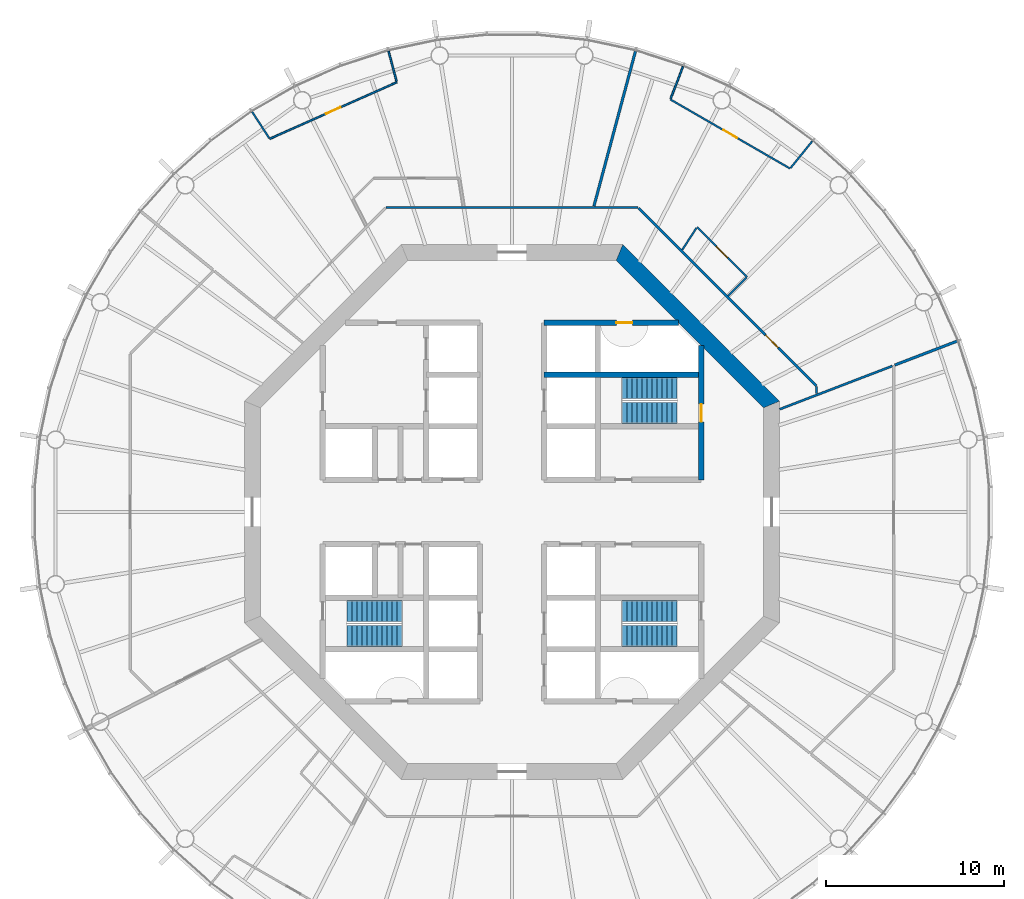
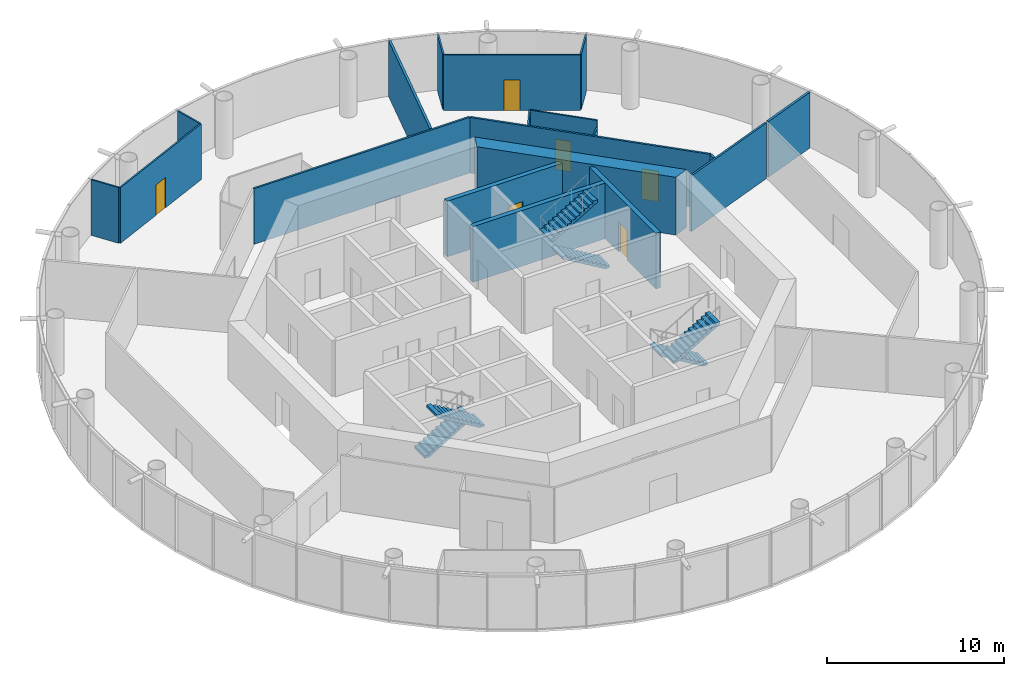
# One storey, part 5 of 12: 19 walls, 6 doors, 6 stair flights, 6 openings, 3 elements without a shape of their own.
"""IFC4 building model written with IfcOpenShell, lengths in metres."""

from ifc_helpers import new_model, si_unit, direction, frame, frame_2d, origin, place, context, subcontext, project, spatial, polyline, rectangle, outline, extrude, material, layer, layer_set, type_object, element, fill, aggregate, save


model = new_model("IFC4")

# Units and contexts
model_context = context("Model", 3, precision=1e-05, world=origin(), true_north=direction((0.0, 1.0)))
body_context = subcontext(model_context, "Body", "Model", "MODEL_VIEW")
ifc_project = project(units=[si_unit("LENGTHUNIT", "METRE"), si_unit("AREAUNIT", "SQUARE_METRE"), si_unit("VOLUMEUNIT", "CUBIC_METRE"), si_unit("PLANEANGLEUNIT", "RADIAN"), si_unit("MASSUNIT", "GRAM", prefix="KILO")], contexts=[model_context])

# Site, building, storey
site_placement = place(None, origin())
site = spatial("IfcSite", under=ifc_project, at=site_placement, CompositionType="ELEMENT")
building_placement = place(site_placement, origin())
building = spatial("IfcBuilding", under=site, at=building_placement, Name="Entoto Ring Tower", CompositionType="ELEMENT")
storey_placement = place(building_placement, frame((0.0, 0.0, 214.0)))
storey = spatial("IfcBuildingStorey", under=building, at=storey_placement, Name="L49", CompositionType="ELEMENT", Elevation=214.0)

# Wall, opening, door
ifc_material_1 = material(Name="Concrete C40/50", Category="concrete")
ifc_layer_1 = layer(ifc_material_1, 0.300048828125)
ifc_layer_set_1 = layer_set([ifc_layer_1], Name="Concrete C40/50")
wall_type_1 = type_object("IfcWallType", Name="Core enclosure wall 300 mm reinforced concrete", PredefinedType="SOLIDWALL", material=ifc_layer_set_1)
wall_1_placement = place(storey_placement, frame((100.60009765625, 81.800048828125, 0.0), z_axis=(0.0, 0.0, 1.0), x_axis=(0.0, 1.0, 0.0)))
wall_1 = element("IfcWall", 1, at=wall_1_placement, inside=storey, type_object=wall_type_1, Name="wall-L49-002", PredefinedType="SOLIDWALL", context=body_context, shape_type="SweptSolid", body=[
    extrude(rectangle(XDim=7.540283203125, YDim=0.300048828125, at=frame_2d((3.77001953125, 0.0))), origin(), (0.0, 0.0, 1.0), 3.85009765625),
])
opening_1_placement = place(wall_1_placement, frame((3.25, 0.0, 0.0)))
opening_1 = element("IfcOpeningElement", 2, at=opening_1_placement, cuts=wall_1, Name="Opening K-17", PredefinedType="OPENING", context=body_context, shape_type="SweptSolid", body=[
    extrude(rectangle(XDim=1.0, YDim=2.10009765625, at=frame_2d((0.5, 1.050048828125))), frame((0.0, 0.16015625, 0.0), z_axis=(0.0, -1.0, 0.0), x_axis=(1.0, 0.0, 0.0)), (0.0, 0.0, 1.0), 0.320068359375),
])
ifc_material_2 = material(Name="Steel door leaf, fire rated", Category="steel")
ifc_layer_2 = layer(ifc_material_2, 0.050048828125)
ifc_layer_set_2 = layer_set([ifc_layer_2], Name="Steel door leaf, fire rated")
door_type_1 = type_object("IfcDoorType", Name="Fire door FD60 1000 x 2100 single leaf", OperationType="NOTDEFINED", PredefinedType="DOOR", material=ifc_layer_set_2)
door_1_placement = place(opening_1_placement, origin())
door_1 = element("IfcDoor", 3, at=door_1_placement, inside=storey, type_object=door_type_1, Name="Door K-17", OperationType="SINGLE_SWING_LEFT", OverallHeight=2.10009765625, OverallWidth=1.0, PredefinedType="DOOR", context=body_context, shape_type="SweptSolid", body=[
    extrude(rectangle(XDim=1.0, YDim=2.10009765625, at=frame_2d((0.5, 1.050048828125))), frame((0.0, 0.02490234375, 0.0), z_axis=(0.0, -1.0, 0.0), x_axis=(1.0, 0.0, 0.0)), (0.0, 0.0, 1.0), 0.050048828125),
])
fill(opening_1, door_1)

# Wall
wall_2_placement = place(storey_placement, frame((91.800048828125, 87.699951171875, 0.0), z_axis=(0.0, 0.0, 1.0), x_axis=(1.0, 0.0, 0.0)))
element("IfcWall", 4, at=wall_2_placement, inside=storey, type_object=wall_type_1, Name="wall-L49-030", PredefinedType="SOLIDWALL", context=body_context, shape_type="SweptSolid", body=[
    extrude(rectangle(XDim=8.800048828125, YDim=0.300048828125, at=frame_2d((4.39990234375, 0.0))), origin(), (0.0, 0.0, 1.0), 3.85009765625),
])

# Wall, opening, door
wall_3_placement = place(storey_placement, frame((91.800048828125, 90.60009765625, 0.0), z_axis=(0.0, 0.0, 1.0), x_axis=(1.0, 0.0, 0.0)))
wall_3 = element("IfcWall", 5, at=wall_3_placement, inside=storey, type_object=wall_type_1, Name="wall-L49-032", PredefinedType="SOLIDWALL", context=body_context, shape_type="SweptSolid", body=[
    extrude(rectangle(XDim=7.540283203125, YDim=0.300048828125, at=frame_2d((3.77001953125, 0.0))), origin(), (0.0, 0.0, 1.0), 3.85009765625),
])
opening_2_placement = place(wall_3_placement, frame((4.050048828125, 0.0, 0.0)))
opening_2 = element("IfcOpeningElement", 6, at=opening_2_placement, cuts=wall_3, Name="Opening K-20", PredefinedType="OPENING", context=body_context, shape_type="SweptSolid", body=[
    extrude(rectangle(XDim=0.89990234375, YDim=2.10009765625, at=frame_2d((0.449951171875, 1.050048828125))), frame((0.0, 0.16015625, 0.0), z_axis=(0.0, -1.0, 0.0), x_axis=(1.0, 0.0, 0.0)), (0.0, 0.0, 1.0), 0.320068359375),
])
ifc_material_3 = material(Name="Steel door leaf, fire rated", Category="steel")
ifc_layer_3 = layer(ifc_material_3, 0.050048828125)
ifc_layer_set_3 = layer_set([ifc_layer_3], Name="Steel door leaf, fire rated")
door_type_2 = type_object("IfcDoorType", Name="Riser door FD60 900 x 2100 single leaf", OperationType="NOTDEFINED", PredefinedType="DOOR", material=ifc_layer_set_3)
door_2_placement = place(opening_2_placement, frame((0.89990234375, 0.0, 0.0), z_axis=(0.0, 0.0, 1.0), x_axis=(-1.0, 0.0, 0.0)))
door_2 = element("IfcDoor", 7, at=door_2_placement, inside=storey, type_object=door_type_2, Name="Door K-20", OperationType="SINGLE_SWING_RIGHT", OverallHeight=2.10009765625, OverallWidth=0.89990234375, PredefinedType="DOOR", context=body_context, shape_type="SweptSolid", body=[
    extrude(rectangle(XDim=0.89990234375, YDim=2.10009765625, at=frame_2d((0.449951171875, 1.050048828125))), frame((0.0, 0.02490234375, 0.0), z_axis=(0.0, -1.0, 0.0), x_axis=(1.0, 0.0, 0.0)), (0.0, 0.0, 1.0), 0.050048828125),
])
fill(opening_2, door_2)

# Walls
ifc_material_4 = material(Name="Concrete C50/60", Category="concrete")
ifc_layer_4 = layer(ifc_material_4, 0.89990234375)
ifc_layer_set_4 = layer_set([ifc_layer_4], Name="Concrete C50/60")
wall_type_2 = type_object("IfcWallType", Name="Core shear wall 900 mm reinforced concrete C50/60", PredefinedType="SHEAR", material=ifc_layer_set_4)
wall_4_placement = place(storey_placement, frame((104.550048828125, 86.02685546875, 0.0), z_axis=(0.0, 0.0, 1.0), x_axis=(-0.707106781187, 0.707106781187, 0.0)))
element("IfcWall", 8, at=wall_4_placement, inside=storey, type_object=wall_type_2, Name="wall-L49-core-1", PredefinedType="SHEAR", context=body_context, shape_type="SweptSolid", body=[
    extrude(outline(polyline([(-0.186279296875, -0.449951171875), (12.239990234375, -0.449951171875), (11.867431640625, 0.449951171875), (0.186279296875, 0.449951171875), (-0.186279296875, -0.449951171875)])), origin(), (0.0, 0.0, 1.0), 4.0),
])
ifc_material_5 = material(Name="Fire-resisting plasterboard on steel studs", Category="steel")
ifc_layer_5 = layer(ifc_material_5, 0.125)
ifc_layer_set_5 = layer_set([ifc_layer_5], Name="Fire-resisting plasterboard on steel studs")
wall_type_3 = type_object("IfcWallType", Name="Corridor wall 125 mm one-hour plasterboard on steel studs", PredefinedType="PARTITIONING", material=ifc_layer_set_5)
wall_5_placement = place(storey_placement, frame((82.9326171875, 97.0625, 0.0), z_axis=(0.0, 0.0, 1.0), x_axis=(1.0, 0.0, 0.0)))
element("IfcWall", 9, at=wall_5_placement, inside=storey, type_object=wall_type_3, Name="partition-L49-004", PredefinedType="PARTITIONING", context=body_context, shape_type="SweptSolid", body=[
    extrude(rectangle(XDim=14.134765625, YDim=0.125, at=frame_2d((7.0673828125, 0.0))), origin(), (0.0, 0.0, 1.0), 3.85009765625),
])

# Wall, opening, door
wall_6_placement = place(storey_placement, frame((107.0625, 87.0673828125, 0.0), z_axis=(0.0, 0.0, 1.0), x_axis=(-0.707098118263, 0.707115444004, 0.0)))
wall_6 = element("IfcWall", 10, at=wall_6_placement, inside=storey, type_object=wall_type_3, Name="partition-L49-005", PredefinedType="PARTITIONING", context=body_context, shape_type="SweptSolid", body=[
    extrude(rectangle(XDim=14.09130859375, YDim=0.125, at=frame_2d((7.045654296875, 0.0))), origin(), (0.0, 0.0, 1.0), 3.85009765625),
])
opening_3_placement = place(wall_6_placement, frame((3.03369140625, 0.0, 0.0)))
opening_3 = element("IfcOpeningElement", 11, at=opening_3_placement, cuts=wall_6, Name="Opening A21-D03", PredefinedType="OPENING", context=body_context, shape_type="SweptSolid", body=[
    extrude(rectangle(XDim=1.0, YDim=2.10009765625, at=frame_2d((0.5, 1.050048828125))), frame((0.0, 0.072509765625, 0.0), z_axis=(0.0, -1.0, 0.0), x_axis=(1.0, 0.0, 0.0)), (0.0, 0.0, 1.0), 0.14501953125),
])
ifc_material_6 = material(Name="Fire-resisting timber door set", Category="wood")
door_type_3 = type_object("IfcDoorType", Name="Door 1000 x 2100 single leaf FD30S fire door", OperationType="NOTDEFINED", PredefinedType="DOOR", material=ifc_material_6)
door_3_placement = place(opening_3_placement, frame((1.0, 0.0, 0.0), z_axis=(0.0, 0.0, 1.0), x_axis=(-1.0, 0.0, 0.0)))
door_3 = element("IfcDoor", 12, at=door_3_placement, inside=storey, type_object=door_type_3, Name="Door A21-D03", OperationType="SINGLE_SWING_LEFT", OverallHeight=2.10009765625, OverallWidth=1.0, PredefinedType="DOOR", context=body_context, shape_type="SweptSolid", body=[
    extrude(rectangle(XDim=1.0, YDim=2.10009765625, at=frame_2d((0.5, 1.050048828125))), frame((0.0, 0.02490234375, 0.0), z_axis=(0.0, -1.0, 0.0), x_axis=(1.0, 0.0, 0.0)), (0.0, 0.0, 1.0), 0.050048828125),
])
fill(opening_3, door_3)

# Walls
wall_7_placement = place(storey_placement, frame((105.0, 85.758056640625, 0.0), z_axis=(0.0, 0.0, 1.0), x_axis=(0.933585389183, 0.358355021038, 0.0)))
element("IfcWall", 13, at=wall_7_placement, inside=storey, type_object=wall_type_3, Name="partition-L49-009", PredefinedType="PARTITIONING", context=body_context, shape_type="SweptSolid", body=[
    extrude(rectangle(XDim=6.764404296875, YDim=0.125, at=frame_2d((3.38232421875, 0.0))), origin(), (0.0, 0.0, 1.0), 3.85009765625),
])
wall_8_placement = place(storey_placement, frame((107.0625, 86.640380859375, 0.0), z_axis=(0.0, 0.0, 1.0), x_axis=(0.0, 1.0, 0.0)))
element("IfcWall", 14, at=wall_8_placement, inside=storey, type_object=wall_type_3, Name="partition-L49-016", PredefinedType="PARTITIONING", context=body_context, shape_type="SweptSolid", body=[
    extrude(rectangle(XDim=0.383056640625, YDim=0.125, at=frame_2d((0.19140625, 0.0))), origin(), (0.0, 0.0, 1.0), 3.85009765625),
])

# Wall, opening, door
ifc_material_7 = material(Name="Plasterboard on steel studs", Category="steel")
ifc_layer_6 = layer(ifc_material_7, 0.10009765625)
ifc_layer_set_6 = layer_set([ifc_layer_6], Name="Plasterboard on steel studs")
wall_type_4 = type_object("IfcWallType", Name="Partition 100 mm plasterboard on steel studs", PredefinedType="PARTITIONING", material=ifc_layer_set_6)
wall_9_placement = place(storey_placement, frame((76.416748046875, 100.91650390625, 0.0), z_axis=(0.0, 0.0, 1.0), x_axis=(0.913554608745, 0.406716088741, 0.0)))
wall_9 = element("IfcWall", 15, at=wall_9_placement, inside=storey, type_object=wall_type_4, Name="partition-L49-022", PredefinedType="PARTITIONING", context=body_context, shape_type="SweptSolid", body=[
    extrude(rectangle(XDim=7.802978515625, YDim=0.10009765625, at=frame_2d((3.9013671875, 0.0))), origin(), (0.0, 0.0, 1.0), 3.85009765625),
])
opening_4_placement = place(wall_9_placement, frame((3.451416015625, 0.0, 0.0)))
opening_4 = element("IfcOpeningElement", 16, at=opening_4_placement, cuts=wall_9, Name="Opening A21-D08", PredefinedType="OPENING", context=body_context, shape_type="SweptSolid", body=[
    extrude(rectangle(XDim=0.89990234375, YDim=2.10009765625, at=frame_2d((0.449951171875, 1.050048828125))), frame((0.0, 0.06005859375, 0.0), z_axis=(0.0, -1.0, 0.0), x_axis=(1.0, 0.0, 0.0)), (0.0, 0.0, 1.0), 0.1201171875),
])
ifc_material_8 = material(Name="Veneered timber door leaf in timber frame", Category="wood")
door_type_4 = type_object("IfcDoorType", Name="Door 900 x 2100 single leaf timber veneer", OperationType="NOTDEFINED", PredefinedType="DOOR", material=ifc_material_8)
door_4_placement = place(opening_4_placement, origin())
door_4 = element("IfcDoor", 17, at=door_4_placement, inside=storey, type_object=door_type_4, Name="Door A21-D08", OperationType="SINGLE_SWING_LEFT", OverallHeight=2.10009765625, OverallWidth=0.89990234375, PredefinedType="DOOR", context=body_context, shape_type="SweptSolid", body=[
    extrude(rectangle(XDim=0.89990234375, YDim=2.10009765625, at=frame_2d((0.449951171875, 1.050048828125))), frame((0.0, 0.02490234375, 0.0), z_axis=(0.0, -1.0, 0.0), x_axis=(1.0, 0.0, 0.0)), (0.0, 0.0, 1.0), 0.050048828125),
])
fill(opening_4, door_4)

wall_10_placement = place(storey_placement, frame((105.58837890625, 99.25, 0.0), z_axis=(0.0, 0.0, 1.0), x_axis=(-0.866038174919, 0.499977879093, 0.0)))
wall_10 = element("IfcWall", 18, at=wall_10_placement, inside=storey, type_object=wall_type_4, Name="partition-L49-024", PredefinedType="PARTITIONING", context=body_context, shape_type="SweptSolid", body=[
    extrude(rectangle(XDim=7.749755859375, YDim=0.10009765625, at=frame_2d((3.875, 0.0))), origin(), (0.0, 0.0, 1.0), 3.85009765625),
])
opening_5_placement = place(wall_10_placement, frame((3.4248046875, 0.0, 0.0)))
opening_5 = element("IfcOpeningElement", 19, at=opening_5_placement, cuts=wall_10, Name="Opening A21-D05", PredefinedType="OPENING", context=body_context, shape_type="SweptSolid", body=[
    extrude(rectangle(XDim=0.89990234375, YDim=2.10009765625, at=frame_2d((0.449951171875, 1.050048828125))), frame((0.0, 0.06005859375, 0.0), z_axis=(0.0, -1.0, 0.0), x_axis=(1.0, 0.0, 0.0)), (0.0, 0.0, 1.0), 0.1201171875),
])
door_5_placement = place(opening_5_placement, frame((0.89990234375, 0.0, 0.0), z_axis=(0.0, 0.0, 1.0), x_axis=(-1.0, 0.0, 0.0)))
door_5 = element("IfcDoor", 20, at=door_5_placement, inside=storey, type_object=door_type_4, Name="Door A21-D05", OperationType="SINGLE_SWING_LEFT", OverallHeight=2.10009765625, OverallWidth=0.89990234375, PredefinedType="DOOR", context=body_context, shape_type="SweptSolid", body=[
    extrude(rectangle(XDim=0.89990234375, YDim=2.10009765625, at=frame_2d((0.449951171875, 1.050048828125))), frame((0.0, 0.02490234375, 0.0), z_axis=(0.0, -1.0, 0.0), x_axis=(1.0, 0.0, 0.0)), (0.0, 0.0, 1.0), 0.050048828125),
])
fill(opening_5, door_5)

wall_11_placement = place(storey_placement, frame((103.168212890625, 93.168212890625, 0.0), z_axis=(0.0, 0.0, 1.0), x_axis=(-0.707137619486, 0.707075941542, 0.0)))
wall_11 = element("IfcWall", 21, at=wall_11_placement, inside=storey, type_object=wall_type_4, Name="partition-L49-027", PredefinedType="PARTITIONING", context=body_context, shape_type="SweptSolid", body=[
    extrude(rectangle(XDim=3.958251953125, YDim=0.10009765625, at=frame_2d((1.97900390625, 0.0))), origin(), (0.0, 0.0, 1.0), 3.85009765625),
])
opening_6_placement = place(wall_11_placement, frame((1.529296875, 0.0, 0.0)))
opening_6 = element("IfcOpeningElement", 22, at=opening_6_placement, cuts=wall_11, Name="Opening A21-D04", PredefinedType="OPENING", context=body_context, shape_type="SweptSolid", body=[
    extrude(rectangle(XDim=0.89990234375, YDim=2.10009765625, at=frame_2d((0.449951171875, 1.050048828125))), frame((0.0, 0.06005859375, 0.0), z_axis=(0.0, -1.0, 0.0), x_axis=(1.0, 0.0, 0.0)), (0.0, 0.0, 1.0), 0.1201171875),
])
door_6_placement = place(opening_6_placement, origin())
door_6 = element("IfcDoor", 23, at=door_6_placement, inside=storey, type_object=door_type_4, Name="Door A21-D04", OperationType="SINGLE_SWING_RIGHT", OverallHeight=2.10009765625, OverallWidth=0.89990234375, PredefinedType="DOOR", context=body_context, shape_type="SweptSolid", body=[
    extrude(rectangle(XDim=0.89990234375, YDim=2.10009765625, at=frame_2d((0.449951171875, 1.050048828125))), frame((0.0, 0.02490234375, 0.0), z_axis=(0.0, -1.0, 0.0), x_axis=(1.0, 0.0, 0.0)), (0.0, 0.0, 1.0), 0.050048828125),
])
fill(opening_6, door_6)

# Walls
for number, where, z_axis, x_axis, name in (
    (24, (98.894287109375, 103.1708984375, 0.0), (0.0, 0.0, 1.0), (0.358467939372, 0.933542037855, 0.0), "partition-L49-028"),
    (25, (105.619384765625, 99.2880859375, 0.0), (0.0, 0.0, 1.0), (0.629179945972, 0.77725967063, 0.0), "partition-L49-029"),
):
    element("IfcWall", number, at=place(storey_placement, frame(where, z_axis=z_axis, x_axis=x_axis)), inside=storey, type_object=wall_type_4, Name=name, PredefinedType="PARTITIONING", context=body_context, shape_type="SweptSolid", body=[
        extrude(rectangle(XDim=1.920654296875, YDim=0.10009765625, at=frame_2d((0.96044921875, 0.0))), origin(), (0.0, 0.0, 1.0), 3.85009765625),
    ])
for number, where, z_axis, x_axis, name in (
    (26, (83.5322265625, 104.1376953125, 0.0), (0.0, 0.0, 1.0), (-0.258808109148, 0.965928756503, 0.0), "partition-L49-032"),
    (27, (76.389892578125, 100.957763671875, 0.0), (0.0, 0.0, 1.0), (-0.544684420792, 0.838641092331, 0.0), "partition-L49-033"),
):
    element("IfcWall", number, at=place(storey_placement, frame(where, z_axis=z_axis, x_axis=x_axis)), inside=storey, type_object=wall_type_4, Name=name, PredefinedType="PARTITIONING", context=body_context, shape_type="SweptSolid", body=[
        extrude(rectangle(XDim=1.750732421875, YDim=0.10009765625, at=frame_2d((0.87548828125, 0.0))), origin(), (0.0, 0.0, 1.0), 3.85009765625),
    ])
wall_12_placement = place(storey_placement, frame((99.541015625, 94.69189453125, 0.0), z_axis=(0.0, 0.0, 1.0), x_axis=(0.544735383894, 0.838607990383, 0.0)))
element("IfcWall", 28, at=wall_12_placement, inside=storey, type_object=wall_type_4, Name="partition-L49-039", PredefinedType="PARTITIONING", context=body_context, shape_type="SweptSolid", body=[
    extrude(rectangle(XDim=1.458740234375, YDim=0.10009765625, at=frame_2d((0.7294921875, 0.0))), origin(), (0.0, 0.0, 1.0), 3.85009765625),
])
ifc_material_9 = material(Name="Plasterboard on steel studs", Category="steel")
ifc_layer_7 = layer(ifc_material_9, 0.10009765625)
ifc_layer_set_7 = layer_set([ifc_layer_7], Name="Plasterboard on steel studs")
wall_type_5 = type_object("IfcWallType", Name="Partition 100 mm plasterboard on steel studs, 3350 mm high", PredefinedType="PARTITIONING", material=ifc_layer_set_7)
wall_13_placement = place(storey_placement, frame((102.109375, 92.109375, 0.0), z_axis=(0.0, 0.0, 1.0), x_axis=(0.707106781187, 0.707106781187, 0.0)))
element("IfcWall", 29, at=wall_13_placement, inside=storey, type_object=wall_type_5, Name="partition-L49-040", PredefinedType="PARTITIONING", context=body_context, shape_type="SweptSolid", body=[
    extrude(rectangle(XDim=1.447265625, YDim=0.10009765625, at=frame_2d((0.7236328125, 0.0))), origin(), (0.0, 0.0, 1.0), 3.35009765625),
])
ifc_material_10 = material(Name="Fire-resisting acoustic plasterboard on steel studs", Category="steel")
ifc_layer_8 = layer(ifc_material_10, 0.14990234375)
ifc_layer_set_8 = layer_set([ifc_layer_8], Name="Fire-resisting acoustic plasterboard on steel studs")
wall_type_6 = type_object("IfcWallType", Name="Party wall 150 mm one-hour acoustic plasterboard on steel studs", PredefinedType="PARTITIONING", material=ifc_layer_set_8)
wall_14_placement = place(storey_placement, frame((94.59375, 97.144287109375, 0.0), z_axis=(0.0, 0.0, 1.0), x_axis=(0.258831999562, 0.965922355059, 0.0)))
element("IfcWall", 30, at=wall_14_placement, inside=storey, type_object=wall_type_6, Name="partition-L49-017", PredefinedType="PARTITIONING", context=body_context, shape_type="SweptSolid", body=[
    extrude(rectangle(XDim=8.990966796875, YDim=0.14990234375, at=frame_2d((4.49560546875, 0.0))), origin(), (0.0, 0.0, 1.0), 3.85009765625),
])
wall_15_placement = place(storey_placement, frame((111.454345703125, 88.235595703125, 0.0), z_axis=(0.0, 0.0, 1.0), x_axis=(0.933581415209, 0.358365373852, 0.0)))
element("IfcWall", 31, at=wall_15_placement, inside=storey, type_object=wall_type_6, Name="partition-L49-021", PredefinedType="PARTITIONING", context=body_context, shape_type="SweptSolid", body=[
    extrude(rectangle(XDim=3.75927734375, YDim=0.14990234375, at=frame_2d((1.879638671875, 0.0))), origin(), (0.0, 0.0, 1.0), 3.85009765625),
])

# Stair, stair flights
ifc_material_11 = material(Name="Concrete C40/50", Category="concrete")
stair_type = type_object("IfcStairType", Name="Exit stair 1200 mm dog-leg reinforced concrete", PredefinedType="HALF_TURN_STAIR", material=ifc_material_11)
stair_1_placement = place(storey_placement, origin())
stair_1 = element("IfcStair", 32, at=stair_1_placement, inside=storey, type_object=stair_type, Name="Exit stair 1", PredefinedType="HALF_TURN_STAIR")
ifc_material_12 = material(Name="Concrete C40/50", Category="concrete")
stair_flight_type = type_object("IfcStairFlightType", Name="Stair flight 1200 mm reinforced concrete", PredefinedType="STRAIGHT", material=ifc_material_12)
stair_flight_1_placement = place(storey_placement, frame((99.25, 85.550048828125, 0.0), z_axis=(0.0, 0.0, 1.0), x_axis=(-1.0, 0.0, 0.0)))
stair_flight_1 = element("IfcStairFlight", 33, at=stair_flight_1_placement, type_object=stair_flight_type, Name="ST1 flight 1", NumberOfRisers=12, NumberOfTreads=11, PredefinedType="STRAIGHT", RiserHeight=0.166666667, TreadLength=0.28, context=body_context, shape_type="SweptSolid", body=[
    extrude(outline(polyline([(0.0, 0.0), (0.0, 0.166748046875), (0.280029296875, 0.166748046875), (0.280029296875, 0.333251953125), (0.56005859375, 0.333251953125), (0.56005859375, 0.5), (0.840087890625, 0.5), (0.840087890625, 0.666748046875), (1.1201171875, 0.666748046875), (1.1201171875, 0.833251953125), (1.39990234375, 0.833251953125), (1.39990234375, 1.0), (1.679931640625, 1.0), (1.679931640625, 1.166748046875), (1.9599609375, 1.166748046875), (1.9599609375, 1.333251953125), (2.239990234375, 1.333251953125), (2.239990234375, 1.5), (2.52001953125, 1.5), (2.52001953125, 1.666748046875), (2.800048828125, 1.666748046875), (2.800048828125, 1.833251953125), (3.080078125, 1.833251953125), (3.080078125, 2.0), (3.080078125, 1.658935546875), (0.29296875, 0.0), (0.0, 0.0)])), frame((0.0, 0.60009765625, 0.0), z_axis=(0.0, -1.0, 0.0), x_axis=(1.0, 0.0, 0.0)), (0.0, 0.0, 1.0), 1.199951171875),
])
stair_flight_2_placement = place(storey_placement, frame((96.169921875, 86.949951171875, 2.0), z_axis=(0.0, 0.0, 1.0), x_axis=(1.0, 0.0, 0.0)))
stair_flight_2 = element("IfcStairFlight", 34, at=stair_flight_2_placement, type_object=stair_flight_type, Name="ST1 flight 2", NumberOfRisers=12, NumberOfTreads=11, PredefinedType="STRAIGHT", RiserHeight=0.166666667, TreadLength=0.28, context=body_context, shape_type="SweptSolid", body=[
    extrude(outline(polyline([(0.0, 0.0), (0.0, 0.166748046875), (0.280029296875, 0.166748046875), (0.280029296875, 0.333251953125), (0.56005859375, 0.333251953125), (0.56005859375, 0.5), (0.840087890625, 0.5), (0.840087890625, 0.666748046875), (1.1201171875, 0.666748046875), (1.1201171875, 0.833251953125), (1.39990234375, 0.833251953125), (1.39990234375, 1.0), (1.679931640625, 1.0), (1.679931640625, 1.166748046875), (1.9599609375, 1.166748046875), (1.9599609375, 1.333251953125), (2.239990234375, 1.333251953125), (2.239990234375, 1.5), (2.52001953125, 1.5), (2.52001953125, 1.666748046875), (2.800048828125, 1.666748046875), (2.800048828125, 1.833251953125), (3.080078125, 1.833251953125), (3.080078125, 2.0), (3.080078125, 1.658935546875), (0.29296875, 0.0), (0.0, 0.0)])), frame((0.0, 0.60009765625, 0.0), z_axis=(0.0, -1.0, 0.0), x_axis=(1.0, 0.0, 0.0)), (0.0, 0.0, 1.0), 1.199951171875),
])
aggregate(stair_1, [stair_flight_1, stair_flight_2])

stair_2_placement = place(storey_placement, origin())
stair_2 = element("IfcStair", 35, at=stair_2_placement, inside=storey, type_object=stair_type, Name="Exit stair 2", PredefinedType="HALF_TURN_STAIR")
stair_flight_3_placement = place(storey_placement, frame((80.75, 74.449951171875, 0.0), z_axis=(0.0, 0.0, 1.0), x_axis=(1.0, 0.0, 0.0)))
stair_flight_3 = element("IfcStairFlight", 36, at=stair_flight_3_placement, type_object=stair_flight_type, Name="ST2 flight 1", NumberOfRisers=12, NumberOfTreads=11, PredefinedType="STRAIGHT", RiserHeight=0.166666667, TreadLength=0.28, context=body_context, shape_type="SweptSolid", body=[
    extrude(outline(polyline([(0.0, 0.0), (0.0, 0.166748046875), (0.280029296875, 0.166748046875), (0.280029296875, 0.333251953125), (0.56005859375, 0.333251953125), (0.56005859375, 0.5), (0.840087890625, 0.5), (0.840087890625, 0.666748046875), (1.1201171875, 0.666748046875), (1.1201171875, 0.833251953125), (1.39990234375, 0.833251953125), (1.39990234375, 1.0), (1.679931640625, 1.0), (1.679931640625, 1.166748046875), (1.9599609375, 1.166748046875), (1.9599609375, 1.333251953125), (2.239990234375, 1.333251953125), (2.239990234375, 1.5), (2.52001953125, 1.5), (2.52001953125, 1.666748046875), (2.800048828125, 1.666748046875), (2.800048828125, 1.833251953125), (3.080078125, 1.833251953125), (3.080078125, 2.0), (3.080078125, 1.658935546875), (0.29296875, 0.0), (0.0, 0.0)])), frame((0.0, 0.60009765625, 0.0), z_axis=(0.0, -1.0, 0.0), x_axis=(1.0, 0.0, 0.0)), (0.0, 0.0, 1.0), 1.199951171875),
])
stair_flight_4_placement = place(storey_placement, frame((83.830078125, 73.050048828125, 2.0), z_axis=(0.0, 0.0, 1.0), x_axis=(-1.0, 0.0, 0.0)))
stair_flight_4 = element("IfcStairFlight", 37, at=stair_flight_4_placement, type_object=stair_flight_type, Name="ST2 flight 2", NumberOfRisers=12, NumberOfTreads=11, PredefinedType="STRAIGHT", RiserHeight=0.166666667, TreadLength=0.28, context=body_context, shape_type="SweptSolid", body=[
    extrude(outline(polyline([(0.0, 0.0), (0.0, 0.166748046875), (0.280029296875, 0.166748046875), (0.280029296875, 0.333251953125), (0.56005859375, 0.333251953125), (0.56005859375, 0.5), (0.840087890625, 0.5), (0.840087890625, 0.666748046875), (1.1201171875, 0.666748046875), (1.1201171875, 0.833251953125), (1.39990234375, 0.833251953125), (1.39990234375, 1.0), (1.679931640625, 1.0), (1.679931640625, 1.166748046875), (1.9599609375, 1.166748046875), (1.9599609375, 1.333251953125), (2.239990234375, 1.333251953125), (2.239990234375, 1.5), (2.52001953125, 1.5), (2.52001953125, 1.666748046875), (2.800048828125, 1.666748046875), (2.800048828125, 1.833251953125), (3.080078125, 1.833251953125), (3.080078125, 2.0), (3.080078125, 1.658935546875), (0.29296875, 0.0), (0.0, 0.0)])), frame((0.0, 0.60009765625, 0.0), z_axis=(0.0, -1.0, 0.0), x_axis=(1.0, 0.0, 0.0)), (0.0, 0.0, 1.0), 1.199951171875),
])
aggregate(stair_2, [stair_flight_3, stair_flight_4])

stair_3_placement = place(storey_placement, origin())
stair_3 = element("IfcStair", 38, at=stair_3_placement, inside=storey, type_object=stair_type, Name="Exit stair 3", PredefinedType="HALF_TURN_STAIR")
stair_flight_5_placement = place(storey_placement, frame((99.25, 74.449951171875, 0.0), z_axis=(0.0, 0.0, 1.0), x_axis=(-1.0, 0.0, 0.0)))
stair_flight_5 = element("IfcStairFlight", 39, at=stair_flight_5_placement, type_object=stair_flight_type, Name="ST3 flight 1", NumberOfRisers=12, NumberOfTreads=11, PredefinedType="STRAIGHT", RiserHeight=0.166666667, TreadLength=0.28, context=body_context, shape_type="SweptSolid", body=[
    extrude(outline(polyline([(0.0, 0.0), (0.0, 0.166748046875), (0.280029296875, 0.166748046875), (0.280029296875, 0.333251953125), (0.56005859375, 0.333251953125), (0.56005859375, 0.5), (0.840087890625, 0.5), (0.840087890625, 0.666748046875), (1.1201171875, 0.666748046875), (1.1201171875, 0.833251953125), (1.39990234375, 0.833251953125), (1.39990234375, 1.0), (1.679931640625, 1.0), (1.679931640625, 1.166748046875), (1.9599609375, 1.166748046875), (1.9599609375, 1.333251953125), (2.239990234375, 1.333251953125), (2.239990234375, 1.5), (2.52001953125, 1.5), (2.52001953125, 1.666748046875), (2.800048828125, 1.666748046875), (2.800048828125, 1.833251953125), (3.080078125, 1.833251953125), (3.080078125, 2.0), (3.080078125, 1.658935546875), (0.29296875, 0.0), (0.0, 0.0)])), frame((0.0, 0.60009765625, 0.0), z_axis=(0.0, -1.0, 0.0), x_axis=(1.0, 0.0, 0.0)), (0.0, 0.0, 1.0), 1.199951171875),
])
stair_flight_6_placement = place(storey_placement, frame((96.169921875, 73.050048828125, 2.0), z_axis=(0.0, 0.0, 1.0), x_axis=(1.0, 0.0, 0.0)))
stair_flight_6 = element("IfcStairFlight", 40, at=stair_flight_6_placement, type_object=stair_flight_type, Name="ST3 flight 2", NumberOfRisers=12, NumberOfTreads=11, PredefinedType="STRAIGHT", RiserHeight=0.166666667, TreadLength=0.28, context=body_context, shape_type="SweptSolid", body=[
    extrude(outline(polyline([(0.0, 0.0), (0.0, 0.166748046875), (0.280029296875, 0.166748046875), (0.280029296875, 0.333251953125), (0.56005859375, 0.333251953125), (0.56005859375, 0.5), (0.840087890625, 0.5), (0.840087890625, 0.666748046875), (1.1201171875, 0.666748046875), (1.1201171875, 0.833251953125), (1.39990234375, 0.833251953125), (1.39990234375, 1.0), (1.679931640625, 1.0), (1.679931640625, 1.166748046875), (1.9599609375, 1.166748046875), (1.9599609375, 1.333251953125), (2.239990234375, 1.333251953125), (2.239990234375, 1.5), (2.52001953125, 1.5), (2.52001953125, 1.666748046875), (2.800048828125, 1.666748046875), (2.800048828125, 1.833251953125), (3.080078125, 1.833251953125), (3.080078125, 2.0), (3.080078125, 1.658935546875), (0.29296875, 0.0), (0.0, 0.0)])), frame((0.0, 0.60009765625, 0.0), z_axis=(0.0, -1.0, 0.0), x_axis=(1.0, 0.0, 0.0)), (0.0, 0.0, 1.0), 1.199951171875),
])
aggregate(stair_3, [stair_flight_5, stair_flight_6])

save(model, "model.ifc")
